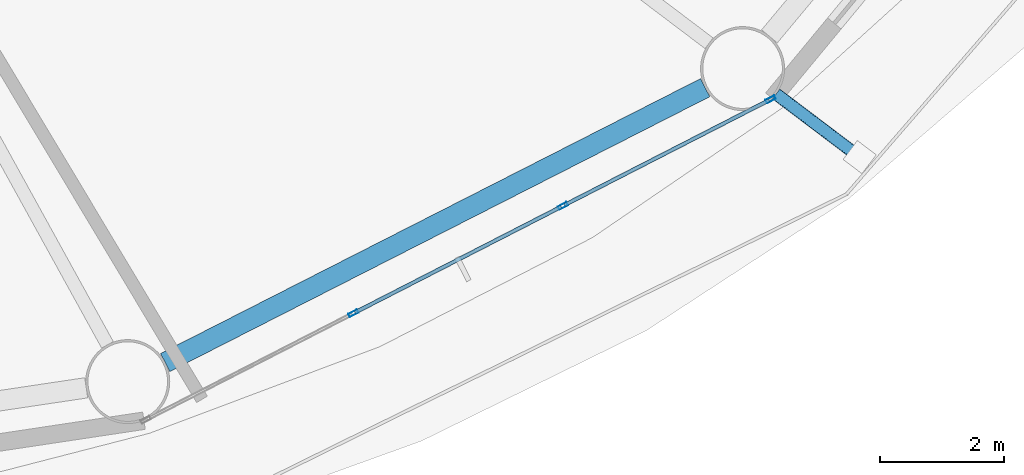
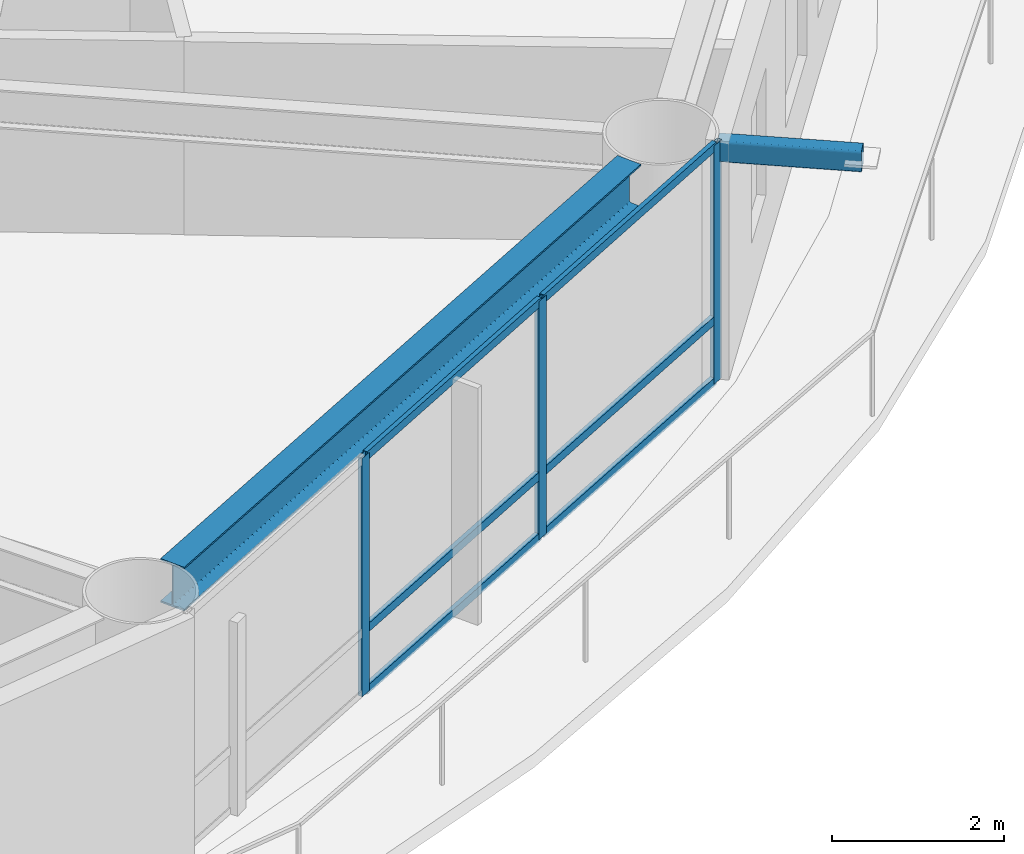
# One storey, part 8 of 26: 10 members, 1 beam, 1 element without a shape of its own.
"""IFC4 building model written with IfcOpenShell, lengths in metres."""

from ifc_helpers import new_model, si_unit, direction, frame, origin, origin_2d, place, context, subcontext, project, spatial, hollow_rectangle, i_section, extrude, material, layer, layer_set, material_profile, profile_set, type_object, element, aggregate, save


model = new_model("IFC4")

# Units and contexts
model_context = context("Model", 3, precision=1e-05, world=origin(), true_north=direction((0.0, 1.0)))
body_context = subcontext(model_context, "Body", "Model", "MODEL_VIEW")
ifc_project = project(units=[si_unit("LENGTHUNIT", "METRE"), si_unit("AREAUNIT", "SQUARE_METRE"), si_unit("VOLUMEUNIT", "CUBIC_METRE"), si_unit("PLANEANGLEUNIT", "RADIAN"), si_unit("MASSUNIT", "GRAM", prefix="KILO")], contexts=[model_context])

# Site, building, storey
site_placement = place(None, origin())
site = spatial("IfcSite", under=ifc_project, at=site_placement, CompositionType="ELEMENT")
building_placement = place(site_placement, origin())
building = spatial("IfcBuilding", under=site, at=building_placement, Name="Sarneth Arch Tower", CompositionType="ELEMENT")
storey_placement = place(building_placement, frame((0.0, 0.0, 49.800048828125)))
storey = spatial("IfcBuildingStorey", under=building, at=storey_placement, Name="L11", CompositionType="ELEMENT", Elevation=49.800048828125)

# Beam
ifc_material_1 = material(Name="Steel S355", Category="steel")
ifc_material_profile_1 = material_profile(ifc_material_1, i_section(OverallWidth=0.326904296875, OverallDepth=0.6220703125, WebThickness=0.015380859375, FlangeThickness=0.0244140625, FilletRadius=0.01904296875, at=origin_2d()), Name="W610x195")
ifc_profile_set_1 = profile_set([ifc_material_profile_1], Name="Steel S355")
beam_type = type_object("IfcBeamType", Name="BM-SPAN-610A", PredefinedType="SPANDREL", material=ifc_profile_set_1)
beam_placement = place(storey_placement, frame((60.41943359375, 20.872314453125, 3.06884765625), z_axis=(0.8911738076, 0.453662037919, 0.0), x_axis=(-0.453662037919, 0.8911738076, 0.0)))
element("IfcBeam", 1, at=beam_placement, inside=storey, type_object=beam_type, Name="L11 Perimeter spandrel beam 14", PredefinedType="SPANDREL", context=body_context, shape_type="SweptSolid", body=[
    extrude(i_section(OverallWidth=0.326904296875, OverallDepth=0.6220703125, WebThickness=0.015380859375, FlangeThickness=0.0244140625, FilletRadius=0.01904296875, at=origin_2d()), origin(), (0.0, 0.0, 1.0), 9.735107421875),
])

# Curtain wall, members
ifc_material_2 = material(Name="Anodised aluminium Type AA25 and solar-control low-e laminated IGU", Category="aluminium")
ifc_layer = layer(ifc_material_2, 0.159912109375)
ifc_layer_set = layer_set([ifc_layer], Name="Anodised aluminium Type AA25 and solar-control low-e laminated IGU")
curtain_wall_type = type_object("IfcCurtainWallType", Name="CW-HOTEL-LOW", PredefinedType="NOTDEFINED", material=ifc_layer_set)
curtain_wall_placement = place(storey_placement, origin())
curtain_wall = element("IfcCurtainWall", 2, at=curtain_wall_placement, inside=storey, type_object=curtain_wall_type, Name="L11 Unitised curtain wall facet 14", PredefinedType="NOTDEFINED")
ifc_material_3 = material(Name="Anodised Aluminium 6063-T6", Category="aluminium")
ifc_material_profile_2 = material_profile(ifc_material_3, hollow_rectangle(XDim=0.06005859375, YDim=0.159912109375, WallThickness=0.00390625, at=origin_2d()), Name="AL-MULL-160x60x4")
ifc_profile_set_2 = profile_set([ifc_material_profile_2], Name="Anodised Aluminium 6063-T6")
member_type_1 = type_object("IfcMemberType", Name="CW-MULLION", PredefinedType="MULLION", material=ifc_profile_set_2)
member_1_placement = place(storey_placement, frame((63.443359375, 21.663330078125, 0.0), z_axis=(0.0, 0.0, 1.0), x_axis=(-0.456245197127, 0.889854100456, 0.0)))
member_1 = element("IfcMember", 3, at=member_1_placement, type_object=member_type_1, Name="CW-SYS-3 mullion 2", PredefinedType="MULLION", context=body_context, shape_type="SweptSolid", body=[
    extrude(hollow_rectangle(XDim=0.06005859375, YDim=0.159912109375, WallThickness=0.00390625, at=origin_2d()), origin(), (0.0, 0.0, 1.0), 3.3798828125),
])
member_2_placement = place(storey_placement, frame((66.80859375, 23.388671875, 0.0), z_axis=(0.0, 0.0, 1.0), x_axis=(-0.456245197127, 0.889854100456, 0.0)))
member_2 = element("IfcMember", 4, at=member_2_placement, type_object=member_type_1, Name="CW-SYS-3 mullion 3", PredefinedType="MULLION", context=body_context, shape_type="SweptSolid", body=[
    extrude(hollow_rectangle(XDim=0.06005859375, YDim=0.159912109375, WallThickness=0.00390625, at=origin_2d()), origin(), (0.0, 0.0, 1.0), 3.3798828125),
])
member_3_placement = place(storey_placement, frame((70.1474609375, 25.1005859375, 0.0), z_axis=(0.0, 0.0, 1.0), x_axis=(-0.456245197127, 0.889854100456, 0.0)))
member_3 = element("IfcMember", 5, at=member_3_placement, type_object=member_type_1, Name="CW-SYS-3 mullion 4", PredefinedType="MULLION", context=body_context, shape_type="SweptSolid", body=[
    extrude(hollow_rectangle(XDim=0.06005859375, YDim=0.159912109375, WallThickness=0.00390625, at=origin_2d()), origin(), (0.0, 0.0, 1.0), 3.3798828125),
])
ifc_material_4 = material(Name="Anodised Aluminium 6063-T6", Category="aluminium")
ifc_material_profile_3 = material_profile(ifc_material_4, hollow_rectangle(XDim=0.06005859375, YDim=0.1201171875, WallThickness=0.00390625, at=origin_2d()), Name="AL-TRAN-120x60x4")
ifc_profile_set_3 = profile_set([ifc_material_profile_3], Name="Anodised Aluminium 6063-T6")
member_type_2 = type_object("IfcMemberType", Name="CW-TRANSOM", PredefinedType="USERDEFINED", material=ifc_profile_set_3)
member_4_placement = place(storey_placement, frame((63.469970703125, 21.677001953125, 0.030029296875), z_axis=(0.889868677022, 0.456216766083, 0.0), x_axis=(-0.456216766083, 0.889868677022, 0.0)))
member_4 = element("IfcMember", 6, at=member_4_placement, type_object=member_type_2, Name="CW-SYS-3 transom 2.1", ObjectType="TRANSOM", PredefinedType="USERDEFINED", context=body_context, shape_type="SweptSolid", body=[
    extrude(hollow_rectangle(XDim=0.06005859375, YDim=0.1201171875, WallThickness=0.00390625, at=origin_2d()), origin(), (0.0, 0.0, 1.0), 3.721923828125),
])
member_5_placement = place(storey_placement, frame((63.469970703125, 21.677001953125, 0.89990234375), z_axis=(0.889868677022, 0.456216766083, 0.0), x_axis=(-0.456216766083, 0.889868677022, 0.0)))
member_5 = element("IfcMember", 7, at=member_5_placement, type_object=member_type_2, Name="CW-SYS-3 transom 2.2", ObjectType="TRANSOM", PredefinedType="USERDEFINED", context=body_context, shape_type="SweptSolid", body=[
    extrude(hollow_rectangle(XDim=0.06005859375, YDim=0.1201171875, WallThickness=0.00390625, at=origin_2d()), origin(), (0.0, 0.0, 1.0), 3.721923828125),
])
member_6_placement = place(storey_placement, frame((63.469970703125, 21.677001953125, 3.349853515625), z_axis=(0.889868677022, 0.456216766083, 0.0), x_axis=(-0.456216766083, 0.889868677022, 0.0)))
member_6 = element("IfcMember", 8, at=member_6_placement, type_object=member_type_2, Name="CW-SYS-3 transom 2.3", ObjectType="TRANSOM", PredefinedType="USERDEFINED", context=body_context, shape_type="SweptSolid", body=[
    extrude(hollow_rectangle(XDim=0.06005859375, YDim=0.1201171875, WallThickness=0.00390625, at=origin_2d()), origin(), (0.0, 0.0, 1.0), 3.721923828125),
])
member_7_placement = place(storey_placement, frame((66.83544921875, 23.402587890625, 0.030029296875), z_axis=(0.889871845224, 0.456210586327, 0.0), x_axis=(-0.456210586327, 0.889871845224, 0.0)))
member_7 = element("IfcMember", 9, at=member_7_placement, type_object=member_type_2, Name="CW-SYS-3 transom 3.1", ObjectType="TRANSOM", PredefinedType="USERDEFINED", context=body_context, shape_type="SweptSolid", body=[
    extrude(hollow_rectangle(XDim=0.06005859375, YDim=0.1201171875, WallThickness=0.00390625, at=origin_2d()), origin(), (0.0, 0.0, 1.0), 3.69189453125),
])
member_8_placement = place(storey_placement, frame((66.83544921875, 23.402587890625, 0.89990234375), z_axis=(0.889871845224, 0.456210586327, 0.0), x_axis=(-0.456210586327, 0.889871845224, 0.0)))
member_8 = element("IfcMember", 10, at=member_8_placement, type_object=member_type_2, Name="CW-SYS-3 transom 3.2", ObjectType="TRANSOM", PredefinedType="USERDEFINED", context=body_context, shape_type="SweptSolid", body=[
    extrude(hollow_rectangle(XDim=0.06005859375, YDim=0.1201171875, WallThickness=0.00390625, at=origin_2d()), origin(), (0.0, 0.0, 1.0), 3.69189453125),
])
member_9_placement = place(storey_placement, frame((66.83544921875, 23.402587890625, 3.349853515625), z_axis=(0.889871845224, 0.456210586327, 0.0), x_axis=(-0.456210586327, 0.889871845224, 0.0)))
member_9 = element("IfcMember", 11, at=member_9_placement, type_object=member_type_2, Name="CW-SYS-3 transom 3.3", ObjectType="TRANSOM", PredefinedType="USERDEFINED", context=body_context, shape_type="SweptSolid", body=[
    extrude(hollow_rectangle(XDim=0.06005859375, YDim=0.1201171875, WallThickness=0.00390625, at=origin_2d()), origin(), (0.0, 0.0, 1.0), 3.69189453125),
])
aggregate(curtain_wall, [member_1, member_2, member_3, member_4, member_5, member_6, member_7, member_8, member_9])

# Member
ifc_material_5 = material(Name="Steel S355", Category="steel")
ifc_material_profile_4 = material_profile(ifc_material_5, hollow_rectangle(XDim=0.199951171875, YDim=0.300048828125, WallThickness=0.012451171875, InnerFilletRadius=0.018798828125, OuterFilletRadius=0.03125, at=origin_2d()), Name="RHS300x200x12.5")
ifc_profile_set_4 = profile_set([ifc_material_profile_4], Name="Steel S355")
member_type_3 = type_object("IfcMemberType", Name="MEM-CANT-STRUT", PredefinedType="STRUT", material=ifc_profile_set_4)
member_10_placement = place(storey_placement, frame((70.235107421875, 25.18798828125, 3.219970703125), z_axis=(0.797626999099, -0.603151034409, 0.0), x_axis=(0.603151034409, 0.797626999099, 0.0)))
element("IfcMember", 12, at=member_10_placement, inside=storey, type_object=member_type_3, Name="L11 Balcony cantilever bracket 15", PredefinedType="STRUT", context=body_context, shape_type="SweptSolid", body=[
    extrude(hollow_rectangle(XDim=0.199951171875, YDim=0.300048828125, WallThickness=0.012451171875, InnerFilletRadius=0.018798828125, OuterFilletRadius=0.03125, at=origin_2d()), origin(), (0.0, 0.0, 1.0), 1.683349609375),
])

save(model, "model.ifc")
